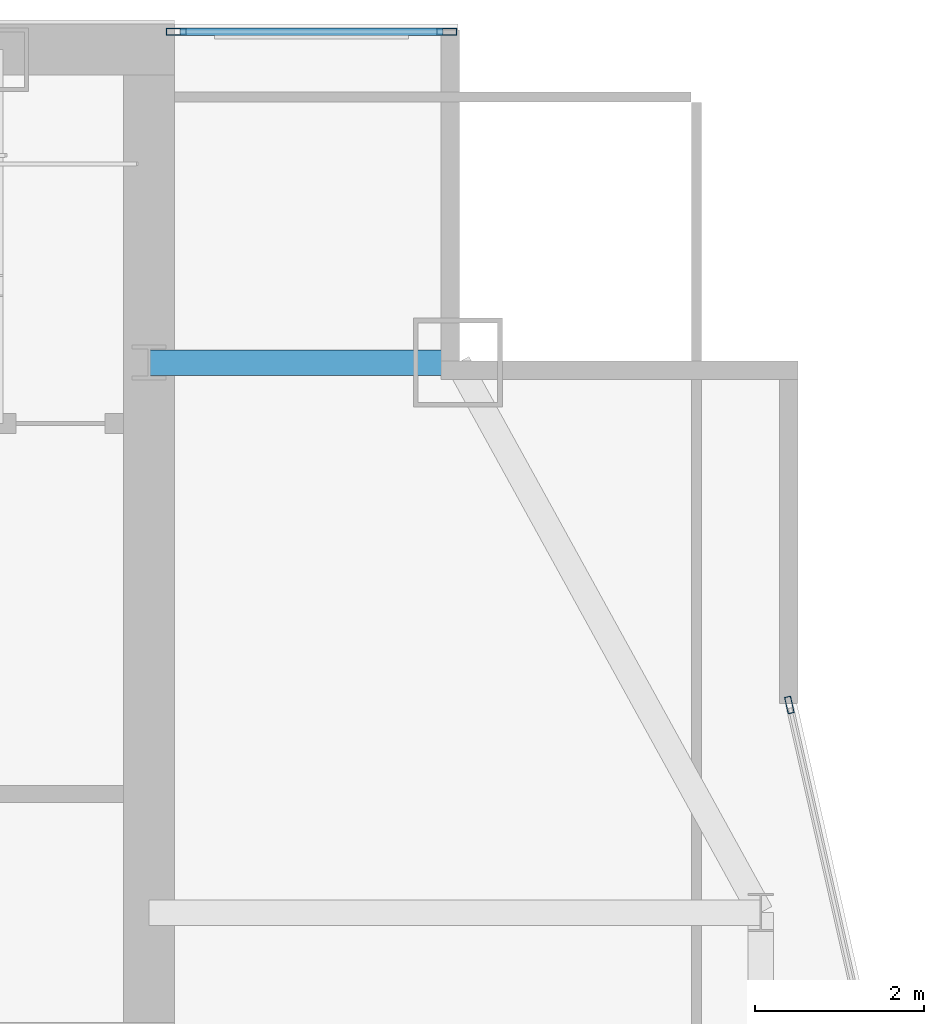
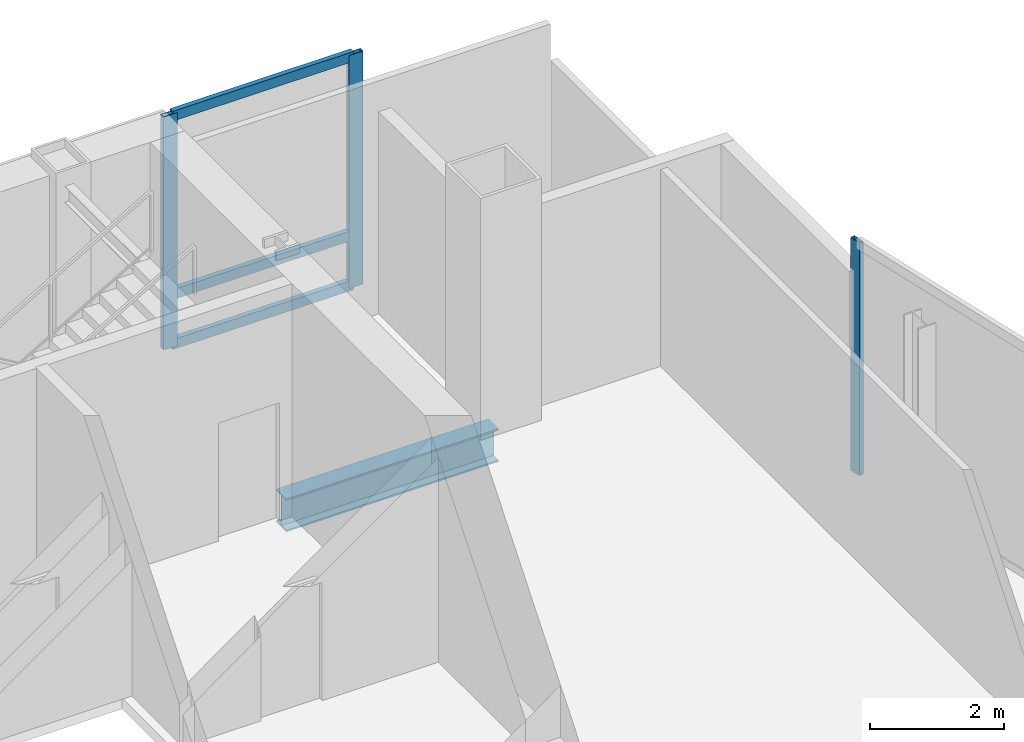
# One storey, part 22 of 28: 6 members, 1 beam, 2 elements without a shape of their own.
"""IFC4 building model written with IfcOpenShell, lengths in metres."""

from ifc_helpers import new_model, si_unit, direction, frame, origin, origin_2d, place, context, subcontext, project, spatial, hollow_rectangle, i_section, extrude, material, material_profile, profile_set, type_object, element, aggregate, save


model = new_model("IFC4")

# Units and contexts
model_context = context("Model", 3, precision=1e-05, world=origin(), true_north=direction((0.0, 1.0)))
body_context = subcontext(model_context, "Body", "Model", "MODEL_VIEW")
ifc_project = project(units=[si_unit("LENGTHUNIT", "METRE"), si_unit("AREAUNIT", "SQUARE_METRE"), si_unit("VOLUMEUNIT", "CUBIC_METRE"), si_unit("PLANEANGLEUNIT", "RADIAN"), si_unit("MASSUNIT", "GRAM", prefix="KILO")], contexts=[model_context])

# Site, building, storey
site_placement = place(None, origin())
site = spatial("IfcSite", under=ifc_project, at=site_placement, CompositionType="ELEMENT")
building_placement = place(site_placement, origin())
building = spatial("IfcBuilding", under=site, at=building_placement, Name="Khoronbel Lancet Exchange", CompositionType="ELEMENT")
storey_placement = place(building_placement, frame((0.0, 0.0, 265.39990234375)))
storey = spatial("IfcBuildingStorey", under=building, at=storey_placement, Name="L68", CompositionType="ELEMENT", Elevation=265.39990234375)

# Beam
ifc_material_1 = material(Name="Steel S355", Category="steel")
ifc_material_profile_1 = material_profile(ifc_material_1, i_section(OverallWidth=0.300048828125, OverallDepth=0.60009765625, WebThickness=0.015380859375, FlangeThickness=0.030029296875, at=origin_2d()), Name="HEB 600")
ifc_profile_set_1 = profile_set([ifc_material_profile_1], Name="Steel S355")
beam_type = type_object("IfcBeamType", Name="BM-BSP2", PredefinedType="SPANDREL", material=ifc_profile_set_1)
beam_placement = place(storey_placement, frame((60.050048828125, 49.699951171875, -0.5), z_axis=(-1.0, 0.0, 0.0), x_axis=(0.0, -1.0, 0.0)))
element("IfcBeam", 1, at=beam_placement, inside=storey, type_object=beam_type, Name="Level L68 north flank tie spandrel SP23", PredefinedType="SPANDREL", context=body_context, shape_type="SweptSolid", body=[
    extrude(i_section(OverallWidth=0.300048828125, OverallDepth=0.60009765625, WebThickness=0.015380859375, FlangeThickness=0.030029296875, at=origin_2d()), origin(), (0.0, 0.0, 1.0), 3.650146484375),
])

# Curtain wall, members
ifc_material_2 = material(Name="Low-E Solar Control Insulating Glass", Category="glass")
curtain_wall_type_1 = type_object("IfcCurtainWallType", Name="CW-3", PredefinedType="NOTDEFINED", material=ifc_material_2)
curtain_wall_1_placement = place(storey_placement, origin())
curtain_wall_1 = element("IfcCurtainWall", 2, at=curtain_wall_1_placement, inside=storey, type_object=curtain_wall_type_1, Name="Unitised curtain wall CW-L68-NEFLK", PredefinedType="NOTDEFINED")
ifc_material_3 = material(Name="Bronze-Anodised Aluminium 6063-T6", Category="aluminium")
ifc_material_profile_2 = material_profile(ifc_material_3, hollow_rectangle(XDim=0.0849609375, YDim=0.239990234375, WallThickness=0.006103515625, at=origin_2d()), Name="ALU MULLION 85x240")
ifc_profile_set_2 = profile_set([ifc_material_profile_2], Name="Bronze-Anodised Aluminium 6063-T6")
member_type_1 = type_object("IfcMemberType", Name="MEM-CWM1", PredefinedType="MULLION", material=ifc_profile_set_2)
member_1_placement = place(storey_placement, frame((59.91748046875, 53.610107421875, 0.0), z_axis=(0.0, 0.0, 1.0), x_axis=(0.0, -1.0, 0.0)))
member_1 = element("IfcMember", 3, at=member_1_placement, type_object=member_type_1, Name="CW3 mullion 1", PredefinedType="MULLION", context=body_context, shape_type="SweptSolid", body=[
    extrude(hollow_rectangle(XDim=0.0849609375, YDim=0.239990234375, WallThickness=0.006103515625, at=origin_2d()), origin(), (0.0, 0.0, 1.0), 4.239990234375),
])
member_2_placement = place(storey_placement, frame((56.722412109375, 53.610107421875, 0.0), z_axis=(0.0, 0.0, 1.0), x_axis=(0.0, -1.0, 0.0)))
member_2 = element("IfcMember", 4, at=member_2_placement, type_object=member_type_1, Name="CW3 mullion 2", PredefinedType="MULLION", context=body_context, shape_type="SweptSolid", body=[
    extrude(hollow_rectangle(XDim=0.0849609375, YDim=0.239990234375, WallThickness=0.006103515625, at=origin_2d()), origin(), (0.0, 0.0, 1.0), 4.239990234375),
])

# Curtain wall, member
curtain_wall_type_2 = type_object("IfcCurtainWallType", Name="CW-4", PredefinedType="NOTDEFINED", material=ifc_material_2)
curtain_wall_2_placement = place(storey_placement, origin())
curtain_wall_2 = element("IfcCurtainWall", 5, at=curtain_wall_2_placement, inside=storey, type_object=curtain_wall_type_2, Name="Unitised curtain wall CW-L68-E17", PredefinedType="NOTDEFINED")
ifc_material_profile_3 = material_profile(ifc_material_3, hollow_rectangle(XDim=0.074951171875, YDim=0.199951171875, WallThickness=0.0048828125, at=origin_2d()), Name="ALU MULLION 75x200")
ifc_profile_set_3 = profile_set([ifc_material_profile_3], Name="Bronze-Anodised Aluminium 6063-T6")
member_type_2 = type_object("IfcMemberType", Name="MEM-CWM2", PredefinedType="MULLION", material=ifc_profile_set_3)
member_3_placement = place(storey_placement, frame((63.96826171875, 45.6533203125, 0.0), z_axis=(0.0, 0.0, 1.0), x_axis=(0.97533545571, 0.220727770874, 0.0)))
member_3 = element("IfcMember", 6, at=member_3_placement, type_object=member_type_2, Name="CW4 mullion 1", PredefinedType="MULLION", context=body_context, shape_type="SweptSolid", body=[
    extrude(hollow_rectangle(XDim=0.074951171875, YDim=0.199951171875, WallThickness=0.0048828125, at=origin_2d()), origin(), (0.0, 0.0, 1.0), 4.239990234375),
])
aggregate(curtain_wall_2, [member_3])

# Member
ifc_material_profile_4 = material_profile(ifc_material_3, hollow_rectangle(XDim=0.0849609375, YDim=0.179931640625, WallThickness=0.0048828125, at=origin_2d()), Name="ALU TRANSOM 85x180")
ifc_profile_set_4 = profile_set([ifc_material_profile_4], Name="Bronze-Anodised Aluminium 6063-T6")
member_type_3 = type_object("IfcMemberType", Name="MEM-CWT1", PredefinedType="USERDEFINED", material=ifc_profile_set_4)
member_4_placement = place(storey_placement, frame((59.875, 53.610107421875, 0.04248046875), z_axis=(-1.0, 0.0, 0.0), x_axis=(0.0, -1.0, 0.0)))
member_4 = element("IfcMember", 7, at=member_4_placement, type_object=member_type_3, Name="CW3 transom 1.1", ObjectType="TRANSOM", PredefinedType="USERDEFINED", context=body_context, shape_type="SweptSolid", body=[
    extrude(hollow_rectangle(XDim=0.0849609375, YDim=0.179931640625, WallThickness=0.0048828125, at=origin_2d()), origin(), (0.0, 0.0, 1.0), 3.110107421875),
])

member_5_placement = place(storey_placement, frame((59.875, 53.610107421875, 0.9501953125), z_axis=(-1.0, 0.0, 0.0), x_axis=(0.0, -1.0, 0.0)))
member_5 = element("IfcMember", 8, at=member_5_placement, type_object=member_type_3, Name="CW3 transom 1.2", ObjectType="TRANSOM", PredefinedType="USERDEFINED", context=body_context, shape_type="SweptSolid", body=[
    extrude(hollow_rectangle(XDim=0.0849609375, YDim=0.179931640625, WallThickness=0.0048828125, at=origin_2d()), origin(), (0.0, 0.0, 1.0), 3.110107421875),
])

member_6_placement = place(storey_placement, frame((59.875, 53.610107421875, 4.197509765625), z_axis=(-1.0, 0.0, 0.0), x_axis=(0.0, -1.0, 0.0)))
member_6 = element("IfcMember", 9, at=member_6_placement, type_object=member_type_3, Name="CW3 transom 1.3", ObjectType="TRANSOM", PredefinedType="USERDEFINED", context=body_context, shape_type="SweptSolid", body=[
    extrude(hollow_rectangle(XDim=0.0849609375, YDim=0.179931640625, WallThickness=0.0048828125, at=origin_2d()), origin(), (0.0, 0.0, 1.0), 3.110107421875),
])

aggregate(curtain_wall_1, [member_1, member_2, member_4, member_5, member_6])

save(model, "model.ifc")
